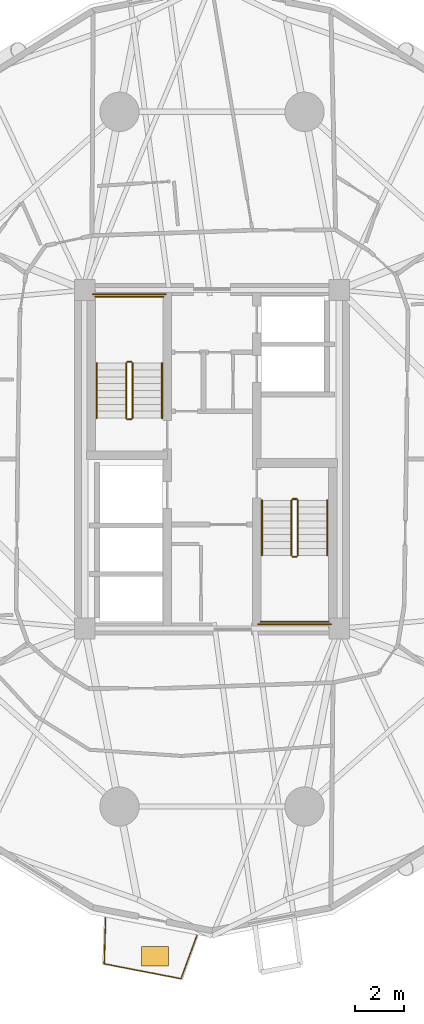
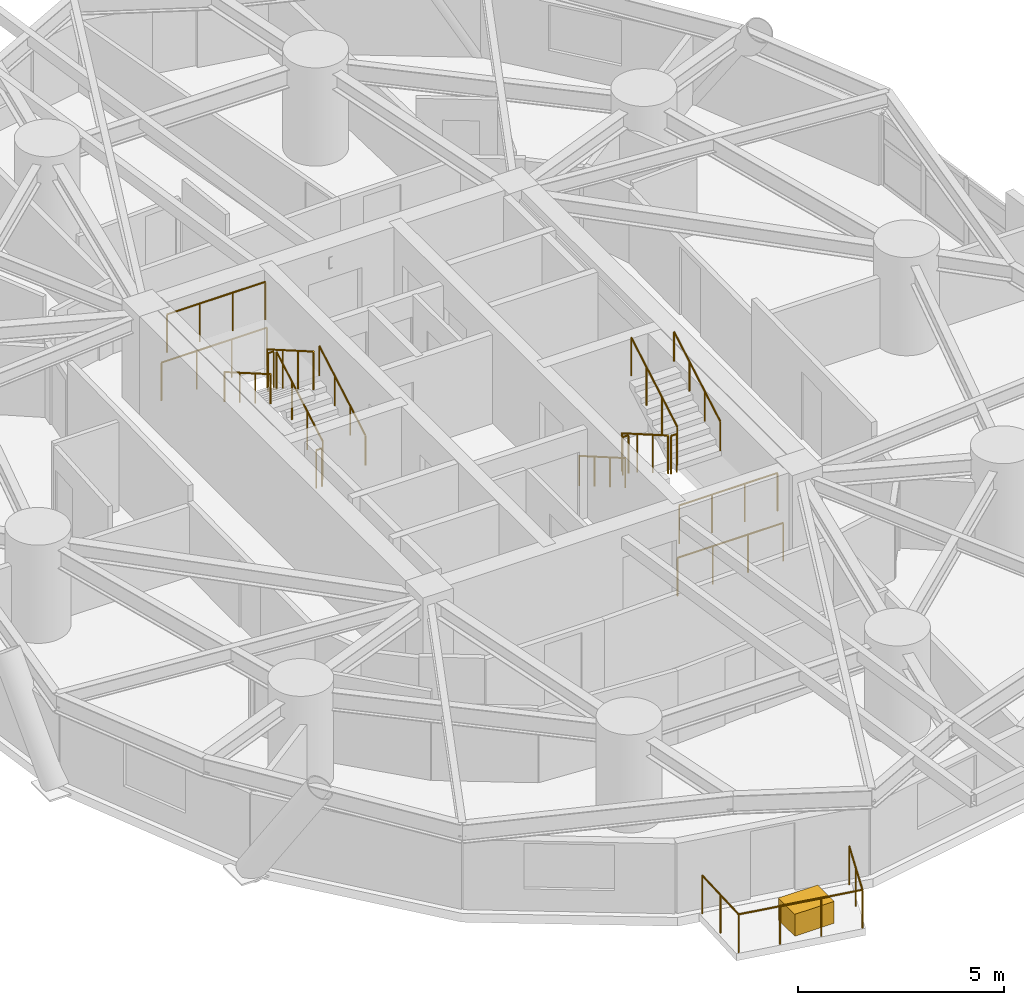
# One storey, part 17 of 19: 17 railings, 1 covering.
"""IFC4 building model written with IfcOpenShell, lengths in metres."""

from ifc_helpers import new_model, si_unit, direction, frame, origin, origin_2d, place, context, subcontext, project, spatial, rectangle, circle, extrude, source, transform, mapped, material, layer, layer_set, type_object, element, save


model = new_model("IFC4")

# Units and contexts
model_context = context("Model", 3, precision=1e-05, world=origin(), true_north=direction((0.0, 1.0)))
body_context = subcontext(model_context, "Body", "Model", "MODEL_VIEW")
ifc_project = project(units=[si_unit("LENGTHUNIT", "METRE"), si_unit("AREAUNIT", "SQUARE_METRE"), si_unit("VOLUMEUNIT", "CUBIC_METRE"), si_unit("PLANEANGLEUNIT", "RADIAN"), si_unit("MASSUNIT", "GRAM", prefix="KILO")], contexts=[model_context])

# Site, building, storey
site_placement = place(None, origin())
site = spatial("IfcSite", under=ifc_project, at=site_placement, CompositionType="ELEMENT")
building_placement = place(site_placement, origin())
building = spatial("IfcBuilding", under=site, at=building_placement, Name="Cununo Teusaquillo Station Towers", CompositionType="ELEMENT")
storey_placement = place(building_placement, frame((0.0, 0.0, 48.18994140625)))
storey = spatial("IfcBuildingStorey", under=building, at=storey_placement, Name="L14", CompositionType="ELEMENT", Elevation=48.18994140625)

# Railings
ifc_material_1 = material(Name="Anodised dark bronze aluminium EN AW-6063-T6", Category="aluminium")
railing_type_1 = type_object("IfcRailingType", Name="RL-EXT-GUARD", PredefinedType="GUARDRAIL", material=ifc_material_1)
railing_1_placement = place(storey_placement, frame((15.8818359375, 5.12841796875, 0.0)))
element("IfcRailing", 1, at=railing_1_placement, inside=storey, type_object=railing_type_1, Name="L14 Tower A Balcony Guardrail C14", PredefinedType="GUARDRAIL", context=body_context, shape_type="SweptSolid", body=[
    extrude(circle(Radius=0.02392578125, at=origin_2d()), frame((0.0, 0.0, 1.1259765625), z_axis=(-0.343992902358, -0.938972248326, 0.0), x_axis=(0.938972248326, -0.343992902358, 0.0)), (0.0, 0.0, 1.0), 1.86376953125),
    extrude(circle(Radius=0.02392578125, at=origin_2d()), frame((-0.64111328125, -1.75, 1.1259765625), z_axis=(-0.981832956512, 0.189747320158, 0.0), x_axis=(-0.189747320158, -0.981832956512, 0.0)), (0.0, 0.0, 1.0), 3.179443359375),
    extrude(circle(Radius=0.02392578125, at=origin_2d()), frame((-3.7626953125, -1.146728515625, 1.1259765625), z_axis=(0.030654001707, 0.999530055666, 0.0), x_axis=(-0.999530055666, 0.030654001707, 0.0)), (0.0, 0.0, 1.0), 1.86376953125),
    extrude(circle(Radius=0.02099609375, at=origin_2d()), origin(), (0.0, 0.0, 1.0), 1.101806640625),
    extrude(circle(Radius=0.02099609375, at=origin_2d()), frame((-0.320556640625, -0.875, 0.0)), (0.0, 0.0, 1.0), 1.101806640625),
    extrude(circle(Radius=0.02099609375, at=origin_2d()), frame((-0.64111328125, -1.75, 0.0)), (0.0, 0.0, 1.0), 1.101806640625),
    extrude(circle(Radius=0.02099609375, at=origin_2d()), frame((-1.681640625, -1.548828125, 0.0)), (0.0, 0.0, 1.0), 1.101806640625),
    extrude(circle(Radius=0.02099609375, at=origin_2d()), frame((-2.72216796875, -1.347900390625, 0.0)), (0.0, 0.0, 1.0), 1.101806640625),
    extrude(circle(Radius=0.02099609375, at=origin_2d()), frame((-3.7626953125, -1.146728515625, 0.0)), (0.0, 0.0, 1.0), 1.101806640625),
    extrude(circle(Radius=0.02099609375, at=origin_2d()), frame((-3.734130859375, -0.21533203125, 0.0)), (0.0, 0.0, 1.0), 1.101806640625),
    extrude(circle(Radius=0.02099609375, at=origin_2d()), frame((-3.70556640625, 0.716064453125, 0.0)), (0.0, 0.0, 1.0), 1.101806640625),
])
ifc_material_2 = material(Name="Steel EN 10025-2 S355J2", Category="steel")
railing_type_2 = type_object("IfcRailingType", Name="RL-INT-GUARD", PredefinedType="GUARDRAIL", material=ifc_material_2)
railing_2_placement = place(storey_placement, frame((13.27001953125, 26.169921875, 0.16162109375)))
element("IfcRailing", 2, at=railing_2_placement, inside=storey, type_object=railing_type_2, Name="L14 ST-T1-1 stair guard 1", PredefinedType="GUARDRAIL", context=body_context, shape_type="SweptSolid", body=[
    extrude(circle(Radius=0.02392578125, at=origin_2d()), frame((0.0, 0.0, 1.1259765625), z_axis=(0.0, 0.865992244559, 0.500057429065), x_axis=(-1.0, 0.0, 0.0)), (0.0, 0.0, 1.0), 2.586669921875),
    extrude(circle(Radius=0.02099609375, at=origin_2d()), origin(), (0.0, 0.0, 1.0), 1.101806640625),
    extrude(circle(Radius=0.02099609375, at=origin_2d()), frame((0.0, 0.74658203125, 0.43115234375)), (0.0, 0.0, 1.0), 1.101806640625),
    extrude(circle(Radius=0.02099609375, at=origin_2d()), frame((0.0, 1.493408203125, 0.8623046875)), (0.0, 0.0, 1.0), 1.101806640625),
    extrude(circle(Radius=0.02099609375, at=origin_2d()), frame((0.0, 2.239990234375, 1.29345703125)), (0.0, 0.0, 1.0), 1.101806640625),
])
railing_3_placement = place(storey_placement, frame((13.219970703125, 28.4599609375, 1.455078125)))
element("IfcRailing", 3, at=railing_3_placement, inside=storey, type_object=railing_type_2, Name="L14 ST-T1-1 stair guard 2", PredefinedType="GUARDRAIL", context=body_context, shape_type="SweptSolid", body=[
    extrude(circle(Radius=0.02392578125, at=origin_2d()), frame((0.0, 0.0, 1.1259765625), z_axis=(-1.0, 0.0, 0.0), x_axis=(0.0, -1.0, 0.0)), (0.0, 0.0, 1.0), 0.159912109375),
    extrude(circle(Radius=0.02099609375, at=origin_2d()), origin(), (0.0, 0.0, 1.0), 1.101806640625),
    extrude(circle(Radius=0.02099609375, at=origin_2d()), frame((-0.159912109375, 0.0, 0.0)), (0.0, 0.0, 1.0), 1.101806640625),
])
railing_4_placement = place(storey_placement, frame((14.52001953125, 31.110107421875, 1.455078125)))
element("IfcRailing", 4, at=railing_4_placement, inside=storey, type_object=railing_type_2, Name="L14 ST-T1-1 stair guard 3", PredefinedType="GUARDRAIL", context=body_context, shape_type="SweptSolid", body=[
    extrude(circle(Radius=0.02392578125, at=origin_2d()), frame((0.0, 0.0, 1.1259765625), z_axis=(-1.0, 0.0, 0.0), x_axis=(0.0, -1.0, 0.0)), (0.0, 0.0, 1.0), 2.760009765625),
    extrude(circle(Radius=0.02099609375, at=origin_2d()), origin(), (0.0, 0.0, 1.0), 1.101806640625),
    extrude(circle(Radius=0.02099609375, at=origin_2d()), frame((-0.919921875, 0.0, 0.0)), (0.0, 0.0, 1.0), 1.101806640625),
    extrude(circle(Radius=0.02099609375, at=origin_2d()), frame((-1.840087890625, 0.0, 0.0)), (0.0, 0.0, 1.0), 1.101806640625),
    extrude(circle(Radius=0.02099609375, at=origin_2d()), frame((-2.760009765625, 0.0, 0.0)), (0.0, 0.0, 1.0), 1.101806640625),
])
railing_5_placement = place(storey_placement, frame((13.010009765625, 28.409912109375, 1.61669921875)))
element("IfcRailing", 5, at=railing_5_placement, inside=storey, type_object=railing_type_2, Name="L14 ST-T1-1 stair guard 4", PredefinedType="GUARDRAIL", context=body_context, shape_type="SweptSolid", body=[
    extrude(circle(Radius=0.02392578125, at=origin_2d()), frame((0.0, 0.0, 1.1259765625), z_axis=(0.0, -0.865992244559, 0.500057429065), x_axis=(1.0, 0.0, 0.0)), (0.0, 0.0, 1.0), 2.586669921875),
    extrude(circle(Radius=0.02099609375, at=origin_2d()), origin(), (0.0, 0.0, 1.0), 1.101806640625),
    extrude(circle(Radius=0.02099609375, at=origin_2d()), frame((0.0, -0.74658203125, 0.43115234375)), (0.0, 0.0, 1.0), 1.101806640625),
    extrude(circle(Radius=0.02099609375, at=origin_2d()), frame((0.0, -1.493408203125, 0.8623046875)), (0.0, 0.0, 1.0), 1.101806640625),
    extrude(circle(Radius=0.02099609375, at=origin_2d()), frame((0.0, -2.239990234375, 1.29345703125)), (0.0, 0.0, 1.0), 1.101806640625),
])
railing_6_placement = place(storey_placement, frame((13.219970703125, 26.1201171875, 0.0)))
element("IfcRailing", 6, at=railing_6_placement, inside=storey, type_object=railing_type_2, Name="L14 ST-T1-1 stair guard 5", PredefinedType="GUARDRAIL", context=body_context, shape_type="SweptSolid", body=[
    extrude(circle(Radius=0.02392578125, at=origin_2d()), frame((0.0, 0.0, 1.1259765625), z_axis=(-1.0, 0.0, 0.0), x_axis=(0.0, -1.0, 0.0)), (0.0, 0.0, 1.0), 0.159912109375),
    extrude(circle(Radius=0.02099609375, at=origin_2d()), origin(), (0.0, 0.0, 1.0), 1.101806640625),
    extrude(circle(Radius=0.02099609375, at=origin_2d()), frame((-0.159912109375, 0.0, 0.0)), (0.0, 0.0, 1.0), 1.101806640625),
])
railing_7_placement = place(storey_placement, frame((14.6201171875, 31.2099609375, 0.0)))
element("IfcRailing", 7, at=railing_7_placement, inside=storey, type_object=railing_type_2, Name="L14 ST-T1-1 stair guard 6", PredefinedType="GUARDRAIL", context=body_context, shape_type="SweptSolid", body=[
    extrude(circle(Radius=0.02392578125, at=origin_2d()), frame((0.0, 0.0, 1.1259765625), z_axis=(-1.0, 0.0, 0.0), x_axis=(0.0, -1.0, 0.0)), (0.0, 0.0, 1.0), 2.960205078125),
    extrude(circle(Radius=0.02099609375, at=origin_2d()), origin(), (0.0, 0.0, 1.0), 1.101806640625),
    extrude(circle(Radius=0.02099609375, at=origin_2d()), frame((-0.98681640625, 0.0, 0.0)), (0.0, 0.0, 1.0), 1.101806640625),
    extrude(circle(Radius=0.02099609375, at=origin_2d()), frame((-1.973388671875, 0.0, 0.0)), (0.0, 0.0, 1.0), 1.101806640625),
    extrude(circle(Radius=0.02099609375, at=origin_2d()), frame((-2.960205078125, 0.0, 0.0)), (0.0, 0.0, 1.0), 1.101806640625),
])
railing_8_placement = place(storey_placement, frame((19.72998046875, 22.830078125, 0.16162109375)))
element("IfcRailing", 8, at=railing_8_placement, inside=storey, type_object=railing_type_2, Name="L14 ST-T1-2 stair guard 1", PredefinedType="GUARDRAIL", context=body_context, shape_type="SweptSolid", body=[
    extrude(circle(Radius=0.02392578125, at=origin_2d()), frame((0.0, 0.0, 1.1259765625), z_axis=(0.0, -0.865992244559, 0.500057429065), x_axis=(1.0, 0.0, 0.0)), (0.0, 0.0, 1.0), 2.586669921875),
    extrude(circle(Radius=0.02099609375, at=origin_2d()), origin(), (0.0, 0.0, 1.0), 1.101806640625),
    extrude(circle(Radius=0.02099609375, at=origin_2d()), frame((0.0, -0.74658203125, 0.43115234375)), (0.0, 0.0, 1.0), 1.101806640625),
    extrude(circle(Radius=0.02099609375, at=origin_2d()), frame((0.0, -1.493408203125, 0.8623046875)), (0.0, 0.0, 1.0), 1.101806640625),
    extrude(circle(Radius=0.02099609375, at=origin_2d()), frame((0.0, -2.239990234375, 1.29345703125)), (0.0, 0.0, 1.0), 1.101806640625),
])
railing_9_placement = place(storey_placement, frame((19.780029296875, 20.5400390625, 1.455078125)))
element("IfcRailing", 9, at=railing_9_placement, inside=storey, type_object=railing_type_2, Name="L14 ST-T1-2 stair guard 2", PredefinedType="GUARDRAIL", context=body_context, shape_type="SweptSolid", body=[
    extrude(circle(Radius=0.02392578125, at=origin_2d()), frame((0.0, 0.0, 1.1259765625), z_axis=(1.0, 0.0, 0.0), x_axis=(0.0, 1.0, 0.0)), (0.0, 0.0, 1.0), 0.159912109375),
    extrude(circle(Radius=0.02099609375, at=origin_2d()), origin(), (0.0, 0.0, 1.0), 1.101806640625),
    extrude(circle(Radius=0.02099609375, at=origin_2d()), frame((0.159912109375, 0.0, 0.0)), (0.0, 0.0, 1.0), 1.101806640625),
])
railing_10_placement = place(storey_placement, frame((18.47998046875, 17.889892578125, 1.455078125)))
element("IfcRailing", 10, at=railing_10_placement, inside=storey, type_object=railing_type_2, Name="L14 ST-T1-2 stair guard 3", PredefinedType="GUARDRAIL", context=body_context, shape_type="SweptSolid", body=[
    extrude(circle(Radius=0.02392578125, at=origin_2d()), frame((0.0, 0.0, 1.1259765625), z_axis=(1.0, 0.0, 0.0), x_axis=(0.0, 1.0, 0.0)), (0.0, 0.0, 1.0), 2.760009765625),
    extrude(circle(Radius=0.02099609375, at=origin_2d()), origin(), (0.0, 0.0, 1.0), 1.101806640625),
    extrude(circle(Radius=0.02099609375, at=origin_2d()), frame((0.919921875, 0.0, 0.0)), (0.0, 0.0, 1.0), 1.101806640625),
    extrude(circle(Radius=0.02099609375, at=origin_2d()), frame((1.840087890625, 0.0, 0.0)), (0.0, 0.0, 1.0), 1.101806640625),
    extrude(circle(Radius=0.02099609375, at=origin_2d()), frame((2.760009765625, 0.0, 0.0)), (0.0, 0.0, 1.0), 1.101806640625),
])
railing_11_placement = place(storey_placement, frame((19.989990234375, 20.590087890625, 1.61669921875)))
element("IfcRailing", 11, at=railing_11_placement, inside=storey, type_object=railing_type_2, Name="L14 ST-T1-2 stair guard 4", PredefinedType="GUARDRAIL", context=body_context, shape_type="SweptSolid", body=[
    extrude(circle(Radius=0.02392578125, at=origin_2d()), frame((0.0, 0.0, 1.1259765625), z_axis=(0.0, 0.865992244559, 0.500057429065), x_axis=(-1.0, 0.0, 0.0)), (0.0, 0.0, 1.0), 2.586669921875),
    extrude(circle(Radius=0.02099609375, at=origin_2d()), origin(), (0.0, 0.0, 1.0), 1.101806640625),
    extrude(circle(Radius=0.02099609375, at=origin_2d()), frame((0.0, 0.74658203125, 0.43115234375)), (0.0, 0.0, 1.0), 1.101806640625),
    extrude(circle(Radius=0.02099609375, at=origin_2d()), frame((0.0, 1.493408203125, 0.8623046875)), (0.0, 0.0, 1.0), 1.101806640625),
    extrude(circle(Radius=0.02099609375, at=origin_2d()), frame((0.0, 2.239990234375, 1.29345703125)), (0.0, 0.0, 1.0), 1.101806640625),
])
railing_12_placement = place(storey_placement, frame((19.780029296875, 22.8798828125, 0.0)))
element("IfcRailing", 12, at=railing_12_placement, inside=storey, type_object=railing_type_2, Name="L14 ST-T1-2 stair guard 5", PredefinedType="GUARDRAIL", context=body_context, shape_type="SweptSolid", body=[
    extrude(circle(Radius=0.02392578125, at=origin_2d()), frame((0.0, 0.0, 1.1259765625), z_axis=(1.0, 0.0, 0.0), x_axis=(0.0, 1.0, 0.0)), (0.0, 0.0, 1.0), 0.159912109375),
    extrude(circle(Radius=0.02099609375, at=origin_2d()), origin(), (0.0, 0.0, 1.0), 1.101806640625),
    extrude(circle(Radius=0.02099609375, at=origin_2d()), frame((0.159912109375, 0.0, 0.0)), (0.0, 0.0, 1.0), 1.101806640625),
])
railing_13_placement = place(storey_placement, frame((18.3798828125, 17.7900390625, 0.0)))
element("IfcRailing", 13, at=railing_13_placement, inside=storey, type_object=railing_type_2, Name="L14 ST-T1-2 stair guard 6", PredefinedType="GUARDRAIL", context=body_context, shape_type="SweptSolid", body=[
    extrude(circle(Radius=0.02392578125, at=origin_2d()), frame((0.0, 0.0, 1.1259765625), z_axis=(1.0, 0.0, 0.0), x_axis=(0.0, 1.0, 0.0)), (0.0, 0.0, 1.0), 2.960205078125),
    extrude(circle(Radius=0.02099609375, at=origin_2d()), origin(), (0.0, 0.0, 1.0), 1.101806640625),
    extrude(circle(Radius=0.02099609375, at=origin_2d()), frame((0.98681640625, 0.0, 0.0)), (0.0, 0.0, 1.0), 1.101806640625),
    extrude(circle(Radius=0.02099609375, at=origin_2d()), frame((1.973388671875, 0.0, 0.0)), (0.0, 0.0, 1.0), 1.101806640625),
    extrude(circle(Radius=0.02099609375, at=origin_2d()), frame((2.960205078125, 0.0, 0.0)), (0.0, 0.0, 1.0), 1.101806640625),
])
ifc_material_3 = material(Name="Steel EN 10025-2 S355J2", Category="steel")
railing_type_3 = type_object("IfcRailingType", Name="RL-INT-HRAIL", PredefinedType="HANDRAIL", material=ifc_material_3)
railing_14_placement = place(storey_placement, frame((14.469970703125, 26.169921875, 0.16162109375)))
element("IfcRailing", 14, at=railing_14_placement, inside=storey, type_object=railing_type_3, Name="L14 ST-T1-1 stair handrail 1", PredefinedType="HANDRAIL", context=body_context, shape_type="SweptSolid", body=[
    extrude(circle(Radius=0.02392578125, at=origin_2d()), frame((0.0, 0.0, 0.8759765625), z_axis=(0.0, 0.865992244559, 0.500057429065), x_axis=(-1.0, 0.0, 0.0)), (0.0, 0.0, 1.0), 2.586669921875),
    extrude(circle(Radius=0.02099609375, at=origin_2d()), origin(), (0.0, 0.0, 1.0), 0.851806640625),
    extrude(circle(Radius=0.02099609375, at=origin_2d()), frame((0.0, 0.74658203125, 0.43115234375)), (0.0, 0.0, 1.0), 0.851806640625),
    extrude(circle(Radius=0.02099609375, at=origin_2d()), frame((0.0, 1.493408203125, 0.8623046875)), (0.0, 0.0, 1.0), 0.851806640625),
    extrude(circle(Radius=0.02099609375, at=origin_2d()), frame((0.0, 2.239990234375, 1.29345703125)), (0.0, 0.0, 1.0), 0.851806640625),
])
for number, where, name in (
    (15, (11.81005859375, 28.409912109375, 1.61669921875), "L14 ST-T1-1 stair handrail 2"),
    (16, (18.530029296875, 22.830078125, 0.16162109375), "L14 ST-T1-2 stair handrail 1"),
):
    element("IfcRailing", number, at=place(storey_placement, frame(where)), inside=storey, type_object=railing_type_3, Name=name, PredefinedType="HANDRAIL", context=body_context, shape_type="SweptSolid", body=[
        extrude(circle(Radius=0.02392578125, at=origin_2d()), frame((0.0, 0.0, 0.8759765625), z_axis=(0.0, -0.865992244559, 0.500057429065), x_axis=(1.0, 0.0, 0.0)), (0.0, 0.0, 1.0), 2.586669921875),
        extrude(circle(Radius=0.02099609375, at=origin_2d()), origin(), (0.0, 0.0, 1.0), 0.851806640625),
        extrude(circle(Radius=0.02099609375, at=origin_2d()), frame((0.0, -0.74658203125, 0.43115234375)), (0.0, 0.0, 1.0), 0.851806640625),
        extrude(circle(Radius=0.02099609375, at=origin_2d()), frame((0.0, -1.493408203125, 0.8623046875)), (0.0, 0.0, 1.0), 0.851806640625),
        extrude(circle(Radius=0.02099609375, at=origin_2d()), frame((0.0, -2.239990234375, 1.29345703125)), (0.0, 0.0, 1.0), 0.851806640625),
    ])
railing_15_placement = place(storey_placement, frame((21.18994140625, 20.590087890625, 1.61669921875)))
element("IfcRailing", 17, at=railing_15_placement, inside=storey, type_object=railing_type_3, Name="L14 ST-T1-2 stair handrail 2", PredefinedType="HANDRAIL", context=body_context, shape_type="SweptSolid", body=[
    extrude(circle(Radius=0.02392578125, at=origin_2d()), frame((0.0, 0.0, 0.8759765625), z_axis=(0.0, 0.865992244559, 0.500057429065), x_axis=(-1.0, 0.0, 0.0)), (0.0, 0.0, 1.0), 2.586669921875),
    extrude(circle(Radius=0.02099609375, at=origin_2d()), origin(), (0.0, 0.0, 1.0), 0.851806640625),
    extrude(circle(Radius=0.02099609375, at=origin_2d()), frame((0.0, 0.74658203125, 0.43115234375)), (0.0, 0.0, 1.0), 0.851806640625),
    extrude(circle(Radius=0.02099609375, at=origin_2d()), frame((0.0, 1.493408203125, 0.8623046875)), (0.0, 0.0, 1.0), 0.851806640625),
    extrude(circle(Radius=0.02099609375, at=origin_2d()), frame((0.0, 2.239990234375, 1.29345703125)), (0.0, 0.0, 1.0), 0.851806640625),
])

# Covering
ifc_material_4 = material(Name="Architectural GRC planter shell and engineered root-zone substrate", Category="concrete")
ifc_layer = layer(ifc_material_4, 0.64990234375)
ifc_layer_set = layer_set([ifc_layer], Name="Architectural GRC planter shell and engineered root-zone substrate")
covering_type = type_object("IfcCoveringType", Name="COV-TREE-PLANTER", PredefinedType="CLADDING", material=ifc_layer_set)
shared_shape = source(origin(), body_context, "Body", "SweptSolid", [
    extrude(rectangle(XDim=1.10009765625, YDim=0.800048828125, at=origin_2d()), origin(), (0.0, 0.0, 1.0), 0.64990234375),
])
covering_placement = place(storey_placement, frame((14.189453125, 4.287841796875, 0.0), z_axis=(0.0, 0.0, 1.0), x_axis=(1.0, 0.0, 0.0)))
element("IfcCovering", 18, at=covering_placement, inside=storey, type_object=covering_type, Name="L14 Tower A Balcony Tree PLANTER C14", PredefinedType="CLADDING", context=body_context, shape_type="MappedRepresentation", body=[
    mapped(shared_shape, transform((0.0, 0.0, 0.0), x_axis=(1.0, 0.0, 0.0), y_axis=(0.0, 1.0, 0.0), z_axis=(0.0, 0.0, 1.0), scale=1.0)),
])

save(model, "model.ifc")
